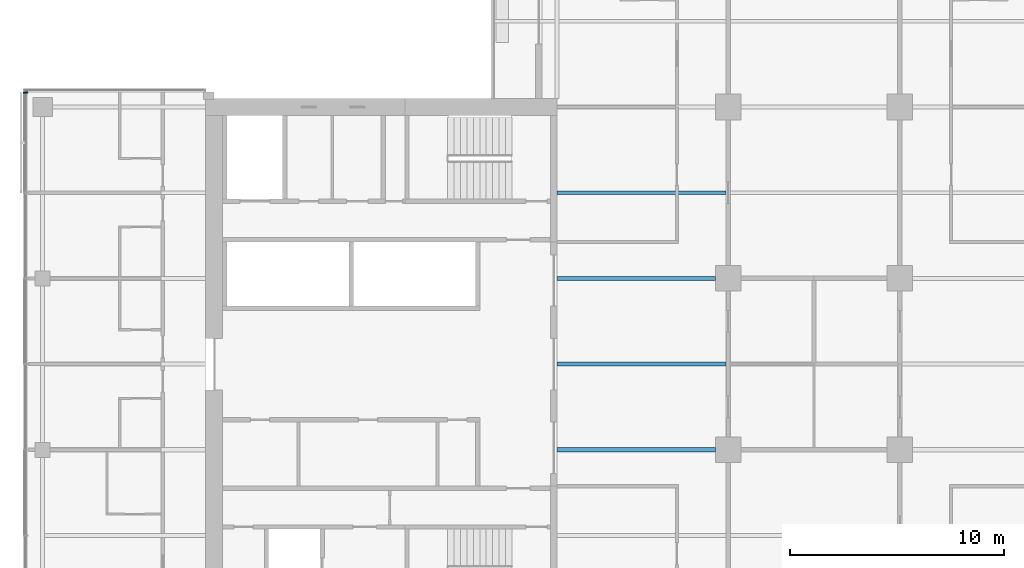
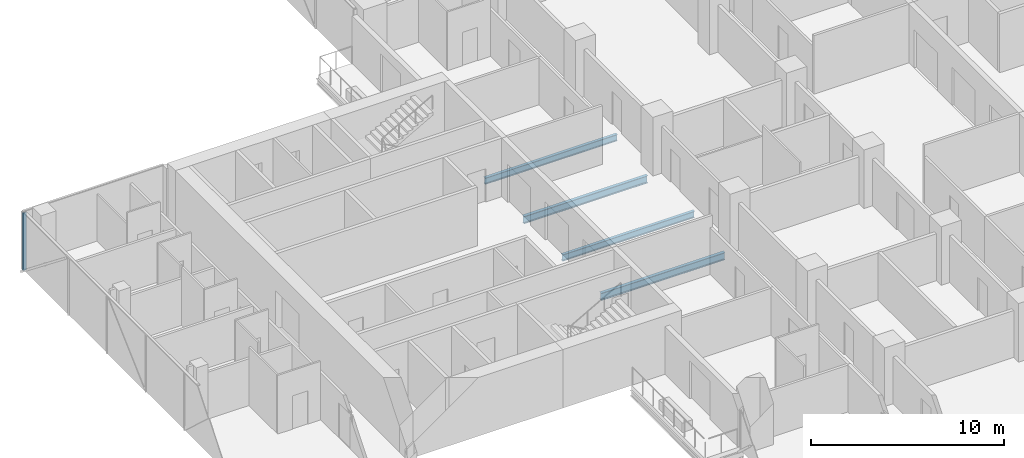
# One storey, part 7 of 27: 4 beams, 1 member, 1 element without a shape of its own.
"""IFC4 building model written with IfcOpenShell, lengths in metres."""

from ifc_helpers import new_model, si_unit, direction, frame, origin, origin_2d, place, context, subcontext, project, spatial, rectangle, i_section, extrude, material, material_profile, profile_set, type_object, element, aggregate, save


model = new_model("IFC4")

# Units and contexts
model_context = context("Model", 3, precision=1e-05, world=origin(), true_north=direction((0.0, 1.0)))
body_context = subcontext(model_context, "Body", "Model", "MODEL_VIEW")
ifc_project = project(units=[si_unit("LENGTHUNIT", "METRE"), si_unit("AREAUNIT", "SQUARE_METRE"), si_unit("VOLUMEUNIT", "CUBIC_METRE"), si_unit("PLANEANGLEUNIT", "RADIAN"), si_unit("MASSUNIT", "GRAM", prefix="KILO")], contexts=[model_context])

# Site, building, storey
site_placement = place(None, origin())
site = spatial("IfcSite", under=ifc_project, at=site_placement, CompositionType="ELEMENT")
building_placement = place(site_placement, origin())
building = spatial("IfcBuilding", under=site, at=building_placement, Name="Crosswind Convention Tower", CompositionType="ELEMENT")
storey_placement = place(building_placement, frame((0.0, 0.0, 94.199951171875)))
storey = spatial("IfcBuildingStorey", under=building, at=storey_placement, Name="L18", CompositionType="ELEMENT", Elevation=94.199951171875)

# Beams
ifc_material_1 = material(Name="Steel S355", Category="steel")
ifc_material_profile_1 = material_profile(ifc_material_1, i_section(OverallWidth=0.19189453125, OverallDepth=0.463623046875, WebThickness=0.010498046875, FlangeThickness=0.017578125, FilletRadius=0.01025390625, at=origin_2d()), Name="UB 457x191x90")
ifc_profile_set_1 = profile_set([ifc_material_profile_1], Name="Steel S355")
beam_type_1 = type_object("IfcBeamType", Name="Girder at core wall UB 457x191x90", PredefinedType="BEAM", material=ifc_profile_set_1)
for number, where, z_axis, x_axis, name in (
    (1, (113.0, 96.0, -0.51171875), (1.0, 0.0, 0.0), (0.0, 1.0, 0.0), "B24 L18 girder at core wall 4"),
    (2, (113.0, 104.0, -0.51171875), (1.0, 0.0, 0.0), (0.0, 1.0, 0.0), "B24 L18 girder at core wall 5"),
):
    element("IfcBeam", number, at=place(storey_placement, frame(where, z_axis=z_axis, x_axis=x_axis)), inside=storey, type_object=beam_type_1, Name=name, PredefinedType="BEAM", context=body_context, shape_type="SweptSolid", body=[
        extrude(i_section(OverallWidth=0.19189453125, OverallDepth=0.463623046875, WebThickness=0.010498046875, FlangeThickness=0.017578125, FilletRadius=0.01025390625, at=origin_2d()), origin(), (0.0, 0.0, 1.0), 7.39990234375),
    ])

# Curtain wall, member
ifc_material_2 = material(Name="Aluminium unitised curtain wall", Category="aluminium")
curtain_wall_type = type_object("IfcCurtainWallType", Name="HOTEL UNITISED WALL 200", PredefinedType="USERDEFINED", material=ifc_material_2)
curtain_wall_placement = place(storey_placement, origin())
curtain_wall = element("IfcCurtainWall", 3, at=curtain_wall_placement, inside=storey, type_object=curtain_wall_type, Name="CW2 L18 W-TIP 1", ObjectType="UNITISED", PredefinedType="USERDEFINED")
ifc_material_3 = material(Name="Aluminium mullion", Category="aluminium")
ifc_material_profile_2 = material_profile(ifc_material_3, rectangle(XDim=0.199951171875, YDim=0.06494140625, at=origin_2d()), Name="AL 200X65")
ifc_profile_set_2 = profile_set([ifc_material_profile_2], Name="Aluminium mullion")
member_type = type_object("IfcMemberType", Name="MULLION 65X200", PredefinedType="MULLION", material=ifc_profile_set_2)
member_placement = place(storey_placement, frame((88.199951171875, 112.66748046875, -0.280029296875), z_axis=(0.0, 0.0, 1.0), x_axis=(-1.0, 0.0, 0.0)))
member = element("IfcMember", 4, at=member_placement, type_object=member_type, Name="CW2 mullion 1", PredefinedType="MULLION", context=body_context, shape_type="SweptSolid", body=[
    extrude(rectangle(XDim=0.199951171875, YDim=0.06494140625, at=origin_2d()), origin(), (0.0, 0.0, 1.0), 3.635009765625),
])
aggregate(curtain_wall, [member])

# Beams
ifc_material_profile_3 = material_profile(ifc_material_1, i_section(OverallWidth=0.177734375, OverallDepth=0.406494140625, WebThickness=0.0078125, FlangeThickness=0.0126953125, FilletRadius=0.01025390625, at=origin_2d()), Name="UB 406x178x60")
ifc_profile_set_3 = profile_set([ifc_material_profile_3], Name="Steel S355")
beam_type_2 = type_object("IfcBeamType", Name="Secondary beam UB 406x178x60", PredefinedType="JOIST", material=ifc_profile_set_3)
for number, where, z_axis, x_axis, name in (
    (5, (113.0, 100.0, -0.483154296875), (1.0, 0.0, 0.0), (0.0, 1.0, 0.0), "B10 L18 secondary beam 5"),
    (6, (113.0, 108.0, -0.483154296875), (1.0, 0.0, 0.0), (0.0, 1.0, 0.0), "B10 L18 secondary beam 6"),
):
    element("IfcBeam", number, at=place(storey_placement, frame(where, z_axis=z_axis, x_axis=x_axis)), inside=storey, type_object=beam_type_2, Name=name, PredefinedType="JOIST", context=body_context, shape_type="SweptSolid", body=[
        extrude(i_section(OverallWidth=0.177734375, OverallDepth=0.406494140625, WebThickness=0.0078125, FlangeThickness=0.0126953125, FilletRadius=0.01025390625, at=origin_2d()), origin(), (0.0, 0.0, 1.0), 7.904296875),
    ])

save(model, "model.ifc")
